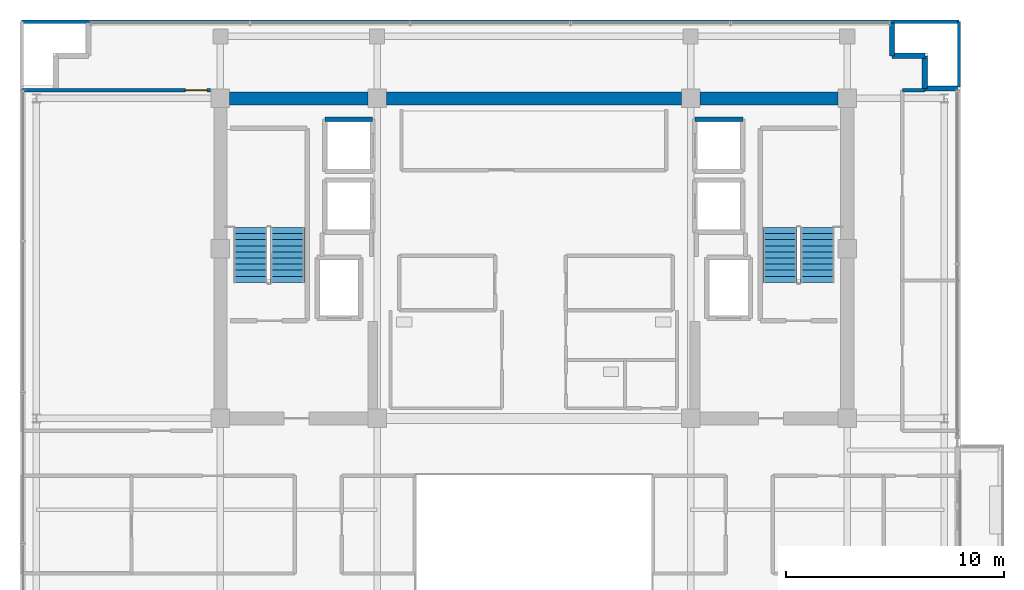
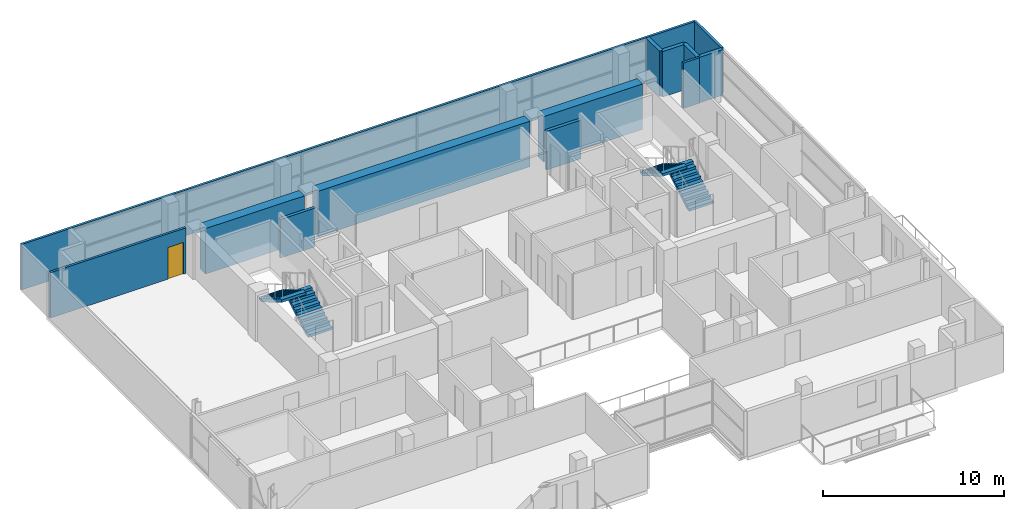
# One storey, part 19 of 23: 13 walls, 4 stair flights, 1 door, 1 opening, 2 elements without a shape of their own.
"""IFC4 building model written with IfcOpenShell, lengths in metres."""

from ifc_helpers import new_model, si_unit, direction, frame, frame_2d, origin, place, context, subcontext, project, spatial, polyline, rectangle, outline, extrude, source, transform, mapped, material, layer, layer_set, type_object, element, fill, aggregate, save


model = new_model("IFC4")

# Units and contexts
model_context = context("Model", 3, precision=1e-05, world=origin(), true_north=direction((0.0, 1.0)))
body_context = subcontext(model_context, "Body", "Model", "MODEL_VIEW")
ifc_project = project(units=[si_unit("LENGTHUNIT", "METRE"), si_unit("AREAUNIT", "SQUARE_METRE"), si_unit("VOLUMEUNIT", "CUBIC_METRE"), si_unit("PLANEANGLEUNIT", "RADIAN"), si_unit("MASSUNIT", "GRAM", prefix="KILO")], contexts=[model_context])

# Site, building, storey
site_placement = place(None, origin())
site = spatial("IfcSite", under=ifc_project, at=site_placement, CompositionType="ELEMENT")
building_placement = place(site_placement, origin())
building = spatial("IfcBuilding", under=site, at=building_placement, Name="Zarnakvel Exchange Tower", CompositionType="ELEMENT")
storey_placement = place(building_placement, frame((0.0, 0.0, 212.199951171875)))
storey = spatial("IfcBuildingStorey", under=building, at=storey_placement, Name="L59", CompositionType="ELEMENT", Elevation=212.199951171875)

# Walls
ifc_material_1 = material(Name="Concrete C50/60", Category="concrete")
ifc_layer_1 = layer(ifc_material_1, 0.60009765625)
ifc_layer_set_1 = layer_set([ifc_layer_1], Name="Concrete C50/60")
wall_type_1 = type_object("IfcWallType", Name="CW-C5", PredefinedType="SHEAR", material=ifc_layer_set_1)
wall_1_placement = place(storey_placement, frame((-13.97509765625, 13.5, 0.0), z_axis=(0.0, 0.0, 1.0), x_axis=(1.0, 0.0, 0.0)))
element("IfcWall", 1, at=wall_1_placement, inside=storey, type_object=wall_type_1, Name="L59 Rear Core Shear Wall N1 (CW-C5)", PredefinedType="SHEAR", context=body_context, shape_type="SweptSolid", body=[
    extrude(rectangle(XDim=6.35009765625, YDim=0.60009765625, at=frame_2d((3.175048828125, 0.0))), origin(), (0.0, 0.0, 1.0), 3.074951171875),
])
wall_2_placement = place(storey_placement, frame((-6.77490234375, 13.5, 0.0), z_axis=(0.0, 0.0, 1.0), x_axis=(1.0, 0.0, 0.0)))
element("IfcWall", 2, at=wall_2_placement, inside=storey, type_object=wall_type_1, Name="L59 Rear Core Shear Wall N2 (CW-C5)", PredefinedType="SHEAR", context=body_context, shape_type="SweptSolid", body=[
    extrude(rectangle(XDim=13.5498046875, YDim=0.60009765625, at=frame_2d((6.77490234375, 0.0))), origin(), (0.0, 0.0, 1.0), 3.074951171875),
])
wall_3_placement = place(storey_placement, frame((7.625, 13.5, 0.0), z_axis=(0.0, 0.0, 1.0), x_axis=(1.0, 0.0, 0.0)))
element("IfcWall", 3, at=wall_3_placement, inside=storey, type_object=wall_type_1, Name="L59 Rear Core Shear Wall N3 (CW-C5)", PredefinedType="SHEAR", context=body_context, shape_type="SweptSolid", body=[
    extrude(rectangle(XDim=6.35009765625, YDim=0.60009765625, at=frame_2d((3.175048828125, 0.0))), origin(), (0.0, 0.0, 1.0), 3.074951171875),
])
ifc_material_2 = material(Name="Precast concrete C40/50", Category="concrete")
ifc_layer_2 = layer(ifc_material_2, 0.239990234375)
ifc_layer_set_2 = layer_set([ifc_layer_2], Name="Precast concrete C40/50")
wall_type_2 = type_object("IfcWallType", Name="EW-02", PredefinedType="SOLIDWALL", material=ifc_layer_set_2)
for number, where, z_axis, x_axis, name in (
    (4, (16.4599609375, 15.4599609375, 0.0), (0.0, 0.0, 1.0), (0.0, 1.0, 0.0), "L59 Exterior Precast Spandrel Wall EWC-L59-05 (EW-02)"),
    (5, (17.9599609375, 15.4599609375, 0.0), (0.0, 0.0, 1.0), (-1.0, 0.0, 0.0), "L59 Exterior Precast Spandrel Wall EWC-L59-06 (EW-02)"),
    (6, (17.9599609375, 13.9599609375, 0.0), (0.0, 0.0, 1.0), (0.0, 1.0, 0.0), "L59 Exterior Precast Spandrel Wall EWC-L59-07 (EW-02)"),
    (7, (19.4599609375, 13.9599609375, 0.0), (0.0, 0.0, 1.0), (-1.0, 0.0, 0.0), "L59 Exterior Precast Spandrel Wall EWC-L59-08 (EW-02)"),
):
    element("IfcWall", number, at=place(storey_placement, frame(where, z_axis=z_axis, x_axis=x_axis)), inside=storey, type_object=wall_type_2, Name=name, PredefinedType="SOLIDWALL", context=body_context, shape_type="SweptSolid", body=[
        extrude(rectangle(XDim=1.5, YDim=0.239990234375, at=frame_2d((0.75, 0.0))), origin(), (0.0, 0.0, 1.0), 3.074951171875),
    ])

# Wall, opening, door
ifc_material_3 = material(Name="Fire-Rated Gypsum Stud Partition", Category="gypsum")
ifc_layer_3 = layer(ifc_material_3, 0.14990234375)
ifc_layer_set_3 = layer_set([ifc_layer_3], Name="Fire-Rated Gypsum Stud Partition")
wall_type_3 = type_object("IfcWallType", Name="PT-01", PredefinedType="PARTITIONING", material=ifc_layer_set_3)
wall_4_placement = place(storey_placement, frame((-23.530029296875, 13.8798828125, 0.0), z_axis=(0.0, 0.0, 1.0), x_axis=(1.0, 0.0, 0.0)))
wall_4 = element("IfcWall", 8, at=wall_4_placement, inside=storey, type_object=wall_type_3, Name="L59 Partition Wall PWALL-L59-064 (PT-01)", PredefinedType="PARTITIONING", context=body_context, shape_type="SweptSolid", body=[
    extrude(rectangle(XDim=8.68505859375, YDim=0.14990234375, at=frame_2d((4.342529296875, 0.0))), origin(), (0.0, 0.0, 1.0), 3.074951171875),
])
opening_placement = place(wall_4_placement, frame((7.52490234375, 0.0, 0.0)))
opening = element("IfcOpeningElement", 9, at=opening_placement, cuts=wall_4, Name="Opening D-L59-23", PredefinedType="OPENING", context=body_context, shape_type="SweptSolid", body=[
    extrude(rectangle(XDim=0.97998046875, YDim=2.14990234375, at=frame_2d((0.489990234375, 1.074951171875))), frame((0.0, 0.0849609375, 0.0), z_axis=(0.0, -1.0, 0.0), x_axis=(1.0, 0.0, 0.0)), (0.0, 0.0, 1.0), 0.169921875),
])
ifc_material_4 = material(Name="Timber Acoustic Veneer", Category="wood")
door_type = type_object("IfcDoorType", Name="DT-05", OperationType="NOTDEFINED", PredefinedType="DOOR", material=ifc_material_4)
shared_shape = source(origin(), body_context, "Body", "SweptSolid", [
    extrude(rectangle(XDim=0.97998046875, YDim=2.14990234375, at=frame_2d((0.489990234375, 1.074951171875))), frame((0.0, 0.02490234375, 0.0), z_axis=(0.0, -1.0, 0.0), x_axis=(1.0, 0.0, 0.0)), (0.0, 0.0, 1.0), 0.050048828125),
])
door_placement = place(opening_placement, origin())
door = element("IfcDoor", 10, at=door_placement, inside=storey, type_object=door_type, Name="L59 Settlement Office Door D-L59-23", OperationType="SINGLE_SWING_RIGHT", OverallHeight=2.14990234375, OverallWidth=0.97998046875, PredefinedType="DOOR", context=body_context, shape_type="MappedRepresentation", body=[
    mapped(shared_shape, transform((0.0, 0.0, 0.0), x_axis=(1.0, 0.0, 0.0), y_axis=(0.0, 1.0, 0.0), z_axis=(0.0, 0.0, 1.0), scale=1.0)),
])
fill(opening, door)

# Walls
wall_5_placement = place(storey_placement, frame((16.929931640625, 13.8798828125, 0.0), z_axis=(0.0, 0.0, 1.0), x_axis=(1.0, 0.0, 0.0)))
element("IfcWall", 11, at=wall_5_placement, inside=storey, type_object=wall_type_3, Name="L59 Partition Wall PWALL-L59-070 (PT-01)", PredefinedType="PARTITIONING", context=body_context, shape_type="SweptSolid", body=[
    extrude(rectangle(XDim=1.030029296875, YDim=0.14990234375, at=frame_2d((0.51513671875, 0.0))), origin(), (0.0, 0.0, 1.0), 3.074951171875),
])
wall_6_placement = place(storey_placement, frame((-23.530029296875, 17.030029296875, 0.0), z_axis=(0.0, 0.0, 1.0), x_axis=(1.0, 0.0, 0.0)))
element("IfcWall", 12, at=wall_6_placement, inside=storey, type_object=wall_type_3, Name="L59 Partition Wall PWALL-L59-073 (PT-01)", PredefinedType="PARTITIONING", context=body_context, shape_type="SweptSolid", body=[
    extrude(rectangle(XDim=43.06005859375, YDim=0.14990234375, at=frame_2d((21.530029296875, 0.0))), origin(), (0.0, 0.0, 1.0), 3.074951171875),
])
wall_7_placement = place(storey_placement, frame((19.530029296875, 17.030029296875, 0.0), z_axis=(0.0, 0.0, 1.0), x_axis=(0.0, -1.0, 0.0)))
element("IfcWall", 13, at=wall_7_placement, inside=storey, type_object=wall_type_3, Name="L59 Partition Wall PWALL-L59-075 (PT-01)", PredefinedType="PARTITIONING", context=body_context, shape_type="SweptSolid", body=[
    extrude(rectangle(XDim=3.0, YDim=0.14990234375, at=frame_2d((1.5, 0.0))), origin(), (0.0, 0.0, 1.0), 3.074951171875),
])
ifc_material_5 = material(Name="Concrete C40/50", Category="concrete")
ifc_layer_4 = layer(ifc_material_5, 0.199951171875)
ifc_layer_set_4 = layer_set([ifc_layer_4], Name="Concrete C40/50")
wall_type_4 = type_object("IfcWallType", Name="SW-01", PredefinedType="SOLIDWALL", material=ifc_layer_set_4)
for number, where, z_axis, x_axis, name in (
    (14, (-9.60009765625, 12.550048828125, 0.0), (0.0, 0.0, 1.0), (1.0, 0.0, 0.0), "L59 PL-10 Hoistway Wall North"),
    (15, (7.39990234375, 12.550048828125, 0.0), (0.0, 0.0, 1.0), (1.0, 0.0, 0.0), "L59 PL-12 Hoistway Wall North"),
):
    element("IfcWall", number, at=place(storey_placement, frame(where, z_axis=z_axis, x_axis=x_axis)), inside=storey, type_object=wall_type_4, Name=name, PredefinedType="SOLIDWALL", context=body_context, shape_type="SweptSolid", body=[
        extrude(rectangle(XDim=2.2001953125, YDim=0.199951171875, at=frame_2d((1.10009765625, 0.0))), origin(), (0.0, 0.0, 1.0), 2.614990234375),
    ])

# Stair, stair flights
stair_type = type_object("IfcStairType", Name="STR-01", PredefinedType="HALF_TURN_STAIR", material=ifc_material_5)
stair_1_placement = place(storey_placement, origin())
stair_1 = element("IfcStair", 16, at=stair_1_placement, inside=storey, type_object=stair_type, Name="L59 Protected Core Exit Stair ST-01", PredefinedType="HALF_TURN_STAIR")
stair_flight_type = type_object("IfcStairFlightType", Name="FLT-01", PredefinedType="STRAIGHT", material=ifc_material_5)
stair_flight_1_placement = place(storey_placement, frame((-11.31494140625, 5.050048828125, 0.0), z_axis=(0.0, 0.0, 1.0), x_axis=(0.0, 1.0, 0.0)))
stair_flight_1 = element("IfcStairFlight", 17, at=stair_flight_1_placement, type_object=stair_flight_type, Name="ST-01 flight 1", NumberOfRisers=10, NumberOfTreads=9, PredefinedType="STRAIGHT", RiserHeight=0.165, TreadLength=0.28, context=body_context, shape_type="SweptSolid", body=[
    extrude(outline(polyline([(0.0, 0.0), (0.0, 0.1650390625), (0.280029296875, 0.1650390625), (0.280029296875, 0.330078125), (0.56005859375, 0.330078125), (0.56005859375, 0.4951171875), (0.840087890625, 0.4951171875), (0.840087890625, 0.659912109375), (1.1201171875, 0.659912109375), (1.1201171875, 0.824951171875), (1.39990234375, 0.824951171875), (1.39990234375, 0.989990234375), (1.679931640625, 0.989990234375), (1.679931640625, 1.155029296875), (1.9599609375, 1.155029296875), (1.9599609375, 1.320068359375), (2.239990234375, 1.320068359375), (2.239990234375, 1.485107421875), (2.52001953125, 1.485107421875), (2.52001953125, 1.64990234375), (2.52001953125, 1.31103515625), (0.295166015625, 0.0), (0.0, 0.0)])), frame((0.0, 0.77490234375, 0.0), z_axis=(0.0, -1.0, 0.0), x_axis=(1.0, 0.0, 0.0)), (0.0, 0.0, 1.0), 1.550048828125),
])
stair_flight_2_placement = place(storey_placement, frame((-13.02490234375, 7.570068359375, 1.650146484375), z_axis=(0.0, 0.0, 1.0), x_axis=(0.0, -1.0, 0.0)))
stair_flight_2 = element("IfcStairFlight", 18, at=stair_flight_2_placement, type_object=stair_flight_type, Name="ST-01 flight 2", NumberOfRisers=10, NumberOfTreads=9, PredefinedType="STRAIGHT", RiserHeight=0.165, TreadLength=0.28, context=body_context, shape_type="SweptSolid", body=[
    extrude(outline(polyline([(0.0, 0.0), (0.0, 0.1650390625), (0.280029296875, 0.1650390625), (0.280029296875, 0.330078125), (0.56005859375, 0.330078125), (0.56005859375, 0.4951171875), (0.840087890625, 0.4951171875), (0.840087890625, 0.659912109375), (1.1201171875, 0.659912109375), (1.1201171875, 0.824951171875), (1.39990234375, 0.824951171875), (1.39990234375, 0.989990234375), (1.679931640625, 0.989990234375), (1.679931640625, 1.155029296875), (1.9599609375, 1.155029296875), (1.9599609375, 1.320068359375), (2.239990234375, 1.320068359375), (2.239990234375, 1.485107421875), (2.52001953125, 1.485107421875), (2.52001953125, 1.64990234375), (2.52001953125, 1.31103515625), (0.295166015625, 0.0), (0.0, 0.0)])), frame((0.0, 0.77490234375, 0.0), z_axis=(0.0, -1.0, 0.0), x_axis=(1.0, 0.0, 0.0)), (0.0, 0.0, 1.0), 1.550048828125),
])
aggregate(stair_1, [stair_flight_1, stair_flight_2])

stair_2_placement = place(storey_placement, origin())
stair_2 = element("IfcStair", 19, at=stair_2_placement, inside=storey, type_object=stair_type, Name="L59 Protected Core Exit Stair ST-02", PredefinedType="HALF_TURN_STAIR")
stair_flight_3_placement = place(storey_placement, frame((13.02490234375, 5.050048828125, 0.0), z_axis=(0.0, 0.0, 1.0), x_axis=(0.0, 1.0, 0.0)))
stair_flight_3 = element("IfcStairFlight", 20, at=stair_flight_3_placement, type_object=stair_flight_type, Name="ST-02 flight 1", NumberOfRisers=10, NumberOfTreads=9, PredefinedType="STRAIGHT", RiserHeight=0.165, TreadLength=0.28, context=body_context, shape_type="SweptSolid", body=[
    extrude(outline(polyline([(0.0, 0.0), (0.0, 0.1650390625), (0.280029296875, 0.1650390625), (0.280029296875, 0.330078125), (0.56005859375, 0.330078125), (0.56005859375, 0.4951171875), (0.840087890625, 0.4951171875), (0.840087890625, 0.659912109375), (1.1201171875, 0.659912109375), (1.1201171875, 0.824951171875), (1.39990234375, 0.824951171875), (1.39990234375, 0.989990234375), (1.679931640625, 0.989990234375), (1.679931640625, 1.155029296875), (1.9599609375, 1.155029296875), (1.9599609375, 1.320068359375), (2.239990234375, 1.320068359375), (2.239990234375, 1.485107421875), (2.52001953125, 1.485107421875), (2.52001953125, 1.64990234375), (2.52001953125, 1.31103515625), (0.295166015625, 0.0), (0.0, 0.0)])), frame((0.0, 0.77490234375, 0.0), z_axis=(0.0, -1.0, 0.0), x_axis=(1.0, 0.0, 0.0)), (0.0, 0.0, 1.0), 1.550048828125),
])
stair_flight_4_placement = place(storey_placement, frame((11.31494140625, 7.570068359375, 1.650146484375), z_axis=(0.0, 0.0, 1.0), x_axis=(0.0, -1.0, 0.0)))
stair_flight_4 = element("IfcStairFlight", 21, at=stair_flight_4_placement, type_object=stair_flight_type, Name="ST-02 flight 2", NumberOfRisers=10, NumberOfTreads=9, PredefinedType="STRAIGHT", RiserHeight=0.165, TreadLength=0.28, context=body_context, shape_type="SweptSolid", body=[
    extrude(outline(polyline([(0.0, 0.0), (0.0, 0.1650390625), (0.280029296875, 0.1650390625), (0.280029296875, 0.330078125), (0.56005859375, 0.330078125), (0.56005859375, 0.4951171875), (0.840087890625, 0.4951171875), (0.840087890625, 0.659912109375), (1.1201171875, 0.659912109375), (1.1201171875, 0.824951171875), (1.39990234375, 0.824951171875), (1.39990234375, 0.989990234375), (1.679931640625, 0.989990234375), (1.679931640625, 1.155029296875), (1.9599609375, 1.155029296875), (1.9599609375, 1.320068359375), (2.239990234375, 1.320068359375), (2.239990234375, 1.485107421875), (2.52001953125, 1.485107421875), (2.52001953125, 1.64990234375), (2.52001953125, 1.31103515625), (0.295166015625, 0.0), (0.0, 0.0)])), frame((0.0, 0.77490234375, 0.0), z_axis=(0.0, -1.0, 0.0), x_axis=(1.0, 0.0, 0.0)), (0.0, 0.0, 1.0), 1.550048828125),
])
aggregate(stair_2, [stair_flight_3, stair_flight_4])

save(model, "model.ifc")
